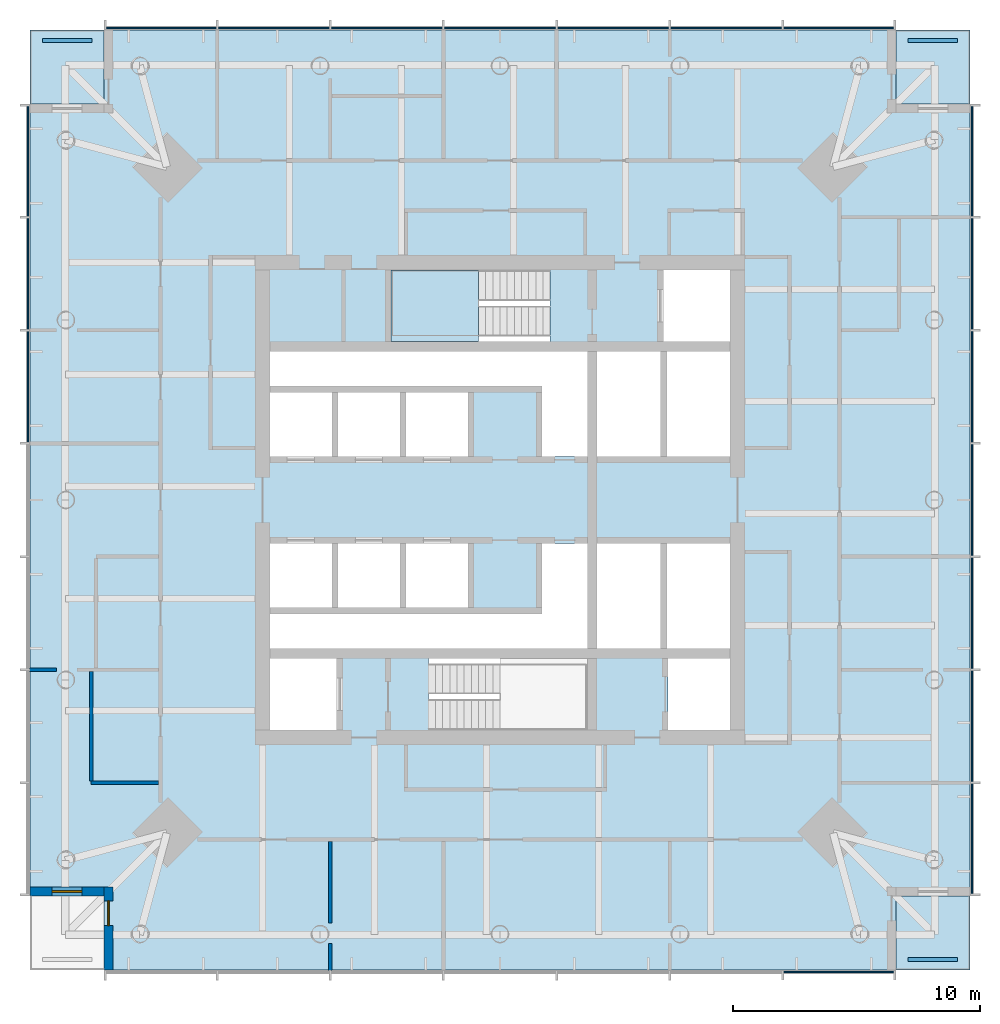
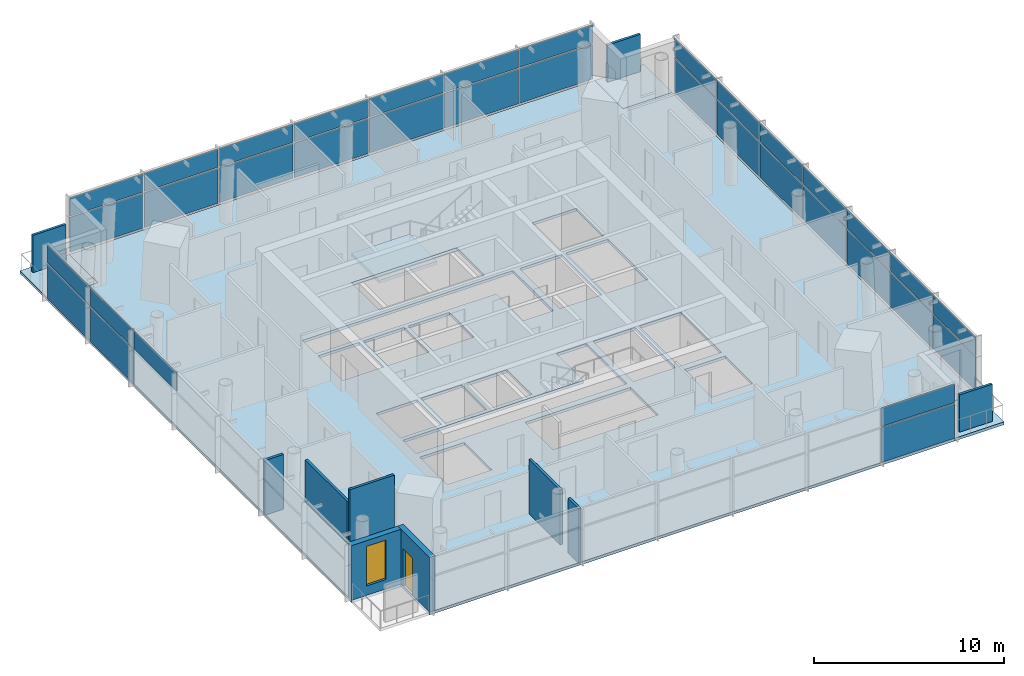
# One storey, part 5 of 10: 38 plates, 7 walls, 5 slabs, 1 door, 1 window, 2 openings, 9 elements without a shape of their own.
"""IFC4 building model written with IfcOpenShell, lengths in metres."""

from ifc_helpers import new_model, si_unit, direction, frame, frame_2d, origin, origin_2d, place, context, subcontext, project, spatial, polyline, rectangle, outline, extrude, material, layer, layer_set, type_object, element, fill, aggregate, save


model = new_model("IFC4")

# Units and contexts
model_context = context("Model", 3, precision=1e-05, world=origin(), true_north=direction((0.0, 1.0)))
body_context = subcontext(model_context, "Body", "Model", "MODEL_VIEW")
ifc_project = project(units=[si_unit("LENGTHUNIT", "METRE"), si_unit("AREAUNIT", "SQUARE_METRE"), si_unit("VOLUMEUNIT", "CUBIC_METRE"), si_unit("PLANEANGLEUNIT", "RADIAN"), si_unit("MASSUNIT", "GRAM", prefix="KILO")], contexts=[model_context])

# Site, building, storey
site_placement = place(None, origin())
site = spatial("IfcSite", under=ifc_project, at=site_placement, CompositionType="ELEMENT")
building_placement = place(site_placement, origin())
building = spatial("IfcBuilding", under=site, at=building_placement, Name="Ostroluk Exchange", CompositionType="ELEMENT")
storey_placement = place(building_placement, frame((0.0, 0.0, 222.39990234375)))
storey = spatial("IfcBuildingStorey", under=building, at=storey_placement, Name="L57", CompositionType="ELEMENT", Elevation=222.39990234375)

# Slabs
ifc_material_1 = material(Name="Concrete C35/45", Category="concrete")
ifc_layer_1 = layer(ifc_material_1, 0.179931640625)
ifc_layer_set_1 = layer_set([ifc_layer_1], Name="Balcony slab 180")
slab_type_1 = type_object("IfcSlabType", Name="Balcony slab 180", PredefinedType="USERDEFINED", material=ifc_layer_set_1)
slab_1_placement = place(storey_placement, frame((0.0, 0.0, -0.179931640625)))
element("IfcSlab", 1, at=slab_1_placement, inside=storey, type_object=slab_type_1, Name="Office tower SE corner balcony L57", ObjectType="BALCONY", PredefinedType="USERDEFINED", context=body_context, shape_type="SweptSolid", body=[
    extrude(outline(polyline([(61.0, 27.0), (64.0, 27.0), (64.0, 30.0), (61.0, 30.0), (61.0, 27.0)])), origin(), (0.0, 0.0, 1.0), 0.179931640625),
])
slab_2_placement = place(storey_placement, frame((0.0, 0.0, -0.179931640625)))
element("IfcSlab", 2, at=slab_2_placement, inside=storey, type_object=slab_type_1, Name="Office tower NE corner balcony L57", ObjectType="BALCONY", PredefinedType="USERDEFINED", context=body_context, shape_type="SweptSolid", body=[
    extrude(outline(polyline([(61.0, 62.0), (64.0, 62.0), (64.0, 65.0), (61.0, 65.0), (61.0, 62.0)])), origin(), (0.0, 0.0, 1.0), 0.179931640625),
])
slab_3_placement = place(storey_placement, frame((0.0, 0.0, -0.179931640625)))
element("IfcSlab", 3, at=slab_3_placement, inside=storey, type_object=slab_type_1, Name="Office tower NW corner balcony L57", ObjectType="BALCONY", PredefinedType="USERDEFINED", context=body_context, shape_type="SweptSolid", body=[
    extrude(outline(polyline([(26.0, 62.0), (29.0, 62.0), (29.0, 65.0), (26.0, 65.0), (26.0, 62.0)])), origin(), (0.0, 0.0, 1.0), 0.179931640625),
])

# Curtain wall, plate
ifc_material_2 = material(Name="Laminated clear glass", Category="glass")
curtain_wall_type = type_object("IfcCurtainWallType", Name="Office tower facade", PredefinedType="USERDEFINED", material=ifc_material_2)
curtain_wall_1_placement = place(storey_placement, origin())
curtain_wall_1 = element("IfcCurtainWall", 4, at=curtain_wall_1_placement, inside=storey, type_object=curtain_wall_type, Name="Office tower south spandrel L57", ObjectType="UNITISED CURTAIN WALL", PredefinedType="USERDEFINED")
ifc_material_3 = material(Name="Insulated aluminium spandrel", Category="aluminium")
ifc_layer_2 = layer(ifc_material_3, 0.0439453125)
ifc_layer_set_2 = layer_set([ifc_layer_2], Name="Insulated spandrel panel 44")
plate_type_1 = type_object("IfcPlateType", Name="Insulated spandrel panel 44", PredefinedType="CURTAIN_PANEL", material=ifc_layer_set_2)
plate_1_placement = place(storey_placement, frame((58.6943359375, 26.925048828125, 2.3935546875), z_axis=(0.0, 0.0, 1.0), x_axis=(1.0, 0.0, 0.0)))
plate_1 = element("IfcPlate", 5, at=plate_1_placement, type_object=plate_type_1, Name="CW-O1 panel 7.1", PredefinedType="CURTAIN_PANEL", context=body_context, shape_type="SweptSolid", body=[
    extrude(rectangle(XDim=4.451416015625, YDim=0.0439453125, at=origin_2d()), origin(), (0.0, 0.0, 1.0), 1.176513671875),
])
aggregate(curtain_wall_1, [plate_1])

# Curtain wall, plates
curtain_wall_2_placement = place(storey_placement, origin())
curtain_wall_2 = element("IfcCurtainWall", 6, at=curtain_wall_2_placement, inside=storey, type_object=curtain_wall_type, Name="Office tower east spandrel L57", ObjectType="UNITISED CURTAIN WALL", PredefinedType="USERDEFINED")
plate_2_placement = place(storey_placement, frame((64.074951171875, 32.3056640625, 2.3935546875), z_axis=(0.0, 0.0, 1.0), x_axis=(0.0, 1.0, 0.0)))
plate_2 = element("IfcPlate", 7, at=plate_2_placement, type_object=plate_type_1, Name="CW-O1 panel 1.1", PredefinedType="CURTAIN_PANEL", context=body_context, shape_type="SweptSolid", body=[
    extrude(rectangle(XDim=4.451416015625, YDim=0.0439453125, at=origin_2d()), origin(), (0.0, 0.0, 1.0), 1.176513671875),
])
plate_3_placement = place(storey_placement, frame((64.074951171875, 36.857177734375, 2.3935546875), z_axis=(0.0, 0.0, 1.0), x_axis=(0.0, 1.0, 0.0)))
plate_3 = element("IfcPlate", 8, at=plate_3_placement, type_object=plate_type_1, Name="CW-O1 panel 2.1", PredefinedType="CURTAIN_PANEL", context=body_context, shape_type="SweptSolid", body=[
    extrude(rectangle(XDim=4.491455078125, YDim=0.0439453125, at=origin_2d()), origin(), (0.0, 0.0, 1.0), 1.176513671875),
])
plate_4_placement = place(storey_placement, frame((64.074951171875, 41.428466796875, 2.3935546875), z_axis=(0.0, 0.0, 1.0), x_axis=(0.0, 1.0, 0.0)))
plate_4 = element("IfcPlate", 9, at=plate_4_placement, type_object=plate_type_1, Name="CW-O1 panel 3.1", PredefinedType="CURTAIN_PANEL", context=body_context, shape_type="SweptSolid", body=[
    extrude(rectangle(XDim=4.491455078125, YDim=0.0439453125, at=origin_2d()), origin(), (0.0, 0.0, 1.0), 1.176513671875),
])
plate_5_placement = place(storey_placement, frame((64.074951171875, 46.0, 2.3935546875), z_axis=(0.0, 0.0, 1.0), x_axis=(0.0, 1.0, 0.0)))
plate_5 = element("IfcPlate", 10, at=plate_5_placement, type_object=plate_type_1, Name="CW-O1 panel 4.1", PredefinedType="CURTAIN_PANEL", context=body_context, shape_type="SweptSolid", body=[
    extrude(rectangle(XDim=4.491455078125, YDim=0.0439453125, at=origin_2d()), origin(), (0.0, 0.0, 1.0), 1.176513671875),
])
plate_6_placement = place(storey_placement, frame((64.074951171875, 50.571533203125, 2.3935546875), z_axis=(0.0, 0.0, 1.0), x_axis=(0.0, 1.0, 0.0)))
plate_6 = element("IfcPlate", 11, at=plate_6_placement, type_object=plate_type_1, Name="CW-O1 panel 5.1", PredefinedType="CURTAIN_PANEL", context=body_context, shape_type="SweptSolid", body=[
    extrude(rectangle(XDim=4.491455078125, YDim=0.0439453125, at=origin_2d()), origin(), (0.0, 0.0, 1.0), 1.176513671875),
])
plate_7_placement = place(storey_placement, frame((64.074951171875, 55.142822265625, 2.3935546875), z_axis=(0.0, 0.0, 1.0), x_axis=(0.0, 1.0, 0.0)))
plate_7 = element("IfcPlate", 12, at=plate_7_placement, type_object=plate_type_1, Name="CW-O1 panel 6.1", PredefinedType="CURTAIN_PANEL", context=body_context, shape_type="SweptSolid", body=[
    extrude(rectangle(XDim=4.491455078125, YDim=0.0439453125, at=origin_2d()), origin(), (0.0, 0.0, 1.0), 1.176513671875),
])
plate_8_placement = place(storey_placement, frame((64.074951171875, 59.6943359375, 2.3935546875), z_axis=(0.0, 0.0, 1.0), x_axis=(0.0, 1.0, 0.0)))
plate_8 = element("IfcPlate", 13, at=plate_8_placement, type_object=plate_type_1, Name="CW-O1 panel 7.1", PredefinedType="CURTAIN_PANEL", context=body_context, shape_type="SweptSolid", body=[
    extrude(rectangle(XDim=4.451416015625, YDim=0.0439453125, at=origin_2d()), origin(), (0.0, 0.0, 1.0), 1.176513671875),
])
aggregate(curtain_wall_2, [plate_2, plate_3, plate_4, plate_5, plate_6, plate_7, plate_8])

curtain_wall_3_placement = place(storey_placement, origin())
curtain_wall_3 = element("IfcCurtainWall", 14, at=curtain_wall_3_placement, inside=storey, type_object=curtain_wall_type, Name="Office tower north spandrel L57", ObjectType="UNITISED CURTAIN WALL", PredefinedType="USERDEFINED")
plate_9_placement = place(storey_placement, frame((58.6943359375, 65.074951171875, 2.3935546875), z_axis=(0.0, 0.0, 1.0), x_axis=(-1.0, 0.0, 0.0)))
plate_9 = element("IfcPlate", 15, at=plate_9_placement, type_object=plate_type_1, Name="CW-O1 panel 1.1", PredefinedType="CURTAIN_PANEL", context=body_context, shape_type="SweptSolid", body=[
    extrude(rectangle(XDim=4.451416015625, YDim=0.0439453125, at=origin_2d()), origin(), (0.0, 0.0, 1.0), 1.176513671875),
])
plate_10_placement = place(storey_placement, frame((54.142822265625, 65.074951171875, 2.3935546875), z_axis=(0.0, 0.0, 1.0), x_axis=(-1.0, 0.0, 0.0)))
plate_10 = element("IfcPlate", 16, at=plate_10_placement, type_object=plate_type_1, Name="CW-O1 panel 2.1", PredefinedType="CURTAIN_PANEL", context=body_context, shape_type="SweptSolid", body=[
    extrude(rectangle(XDim=4.491455078125, YDim=0.0439453125, at=origin_2d()), origin(), (0.0, 0.0, 1.0), 1.176513671875),
])
plate_11_placement = place(storey_placement, frame((49.571533203125, 65.074951171875, 2.3935546875), z_axis=(0.0, 0.0, 1.0), x_axis=(-1.0, 0.0, 0.0)))
plate_11 = element("IfcPlate", 17, at=plate_11_placement, type_object=plate_type_1, Name="CW-O1 panel 3.1", PredefinedType="CURTAIN_PANEL", context=body_context, shape_type="SweptSolid", body=[
    extrude(rectangle(XDim=4.491455078125, YDim=0.0439453125, at=origin_2d()), origin(), (0.0, 0.0, 1.0), 1.176513671875),
])
plate_12_placement = place(storey_placement, frame((45.0, 65.074951171875, 2.3935546875), z_axis=(0.0, 0.0, 1.0), x_axis=(-1.0, 0.0, 0.0)))
plate_12 = element("IfcPlate", 18, at=plate_12_placement, type_object=plate_type_1, Name="CW-O1 panel 4.1", PredefinedType="CURTAIN_PANEL", context=body_context, shape_type="SweptSolid", body=[
    extrude(rectangle(XDim=4.491455078125, YDim=0.0439453125, at=origin_2d()), origin(), (0.0, 0.0, 1.0), 1.176513671875),
])
plate_13_placement = place(storey_placement, frame((40.428466796875, 65.074951171875, 2.3935546875), z_axis=(0.0, 0.0, 1.0), x_axis=(-1.0, 0.0, 0.0)))
plate_13 = element("IfcPlate", 19, at=plate_13_placement, type_object=plate_type_1, Name="CW-O1 panel 5.1", PredefinedType="CURTAIN_PANEL", context=body_context, shape_type="SweptSolid", body=[
    extrude(rectangle(XDim=4.491455078125, YDim=0.0439453125, at=origin_2d()), origin(), (0.0, 0.0, 1.0), 1.176513671875),
])
plate_14_placement = place(storey_placement, frame((35.857177734375, 65.074951171875, 2.3935546875), z_axis=(0.0, 0.0, 1.0), x_axis=(-1.0, 0.0, 0.0)))
plate_14 = element("IfcPlate", 20, at=plate_14_placement, type_object=plate_type_1, Name="CW-O1 panel 6.1", PredefinedType="CURTAIN_PANEL", context=body_context, shape_type="SweptSolid", body=[
    extrude(rectangle(XDim=4.491455078125, YDim=0.0439453125, at=origin_2d()), origin(), (0.0, 0.0, 1.0), 1.176513671875),
])
plate_15_placement = place(storey_placement, frame((31.3056640625, 65.074951171875, 2.3935546875), z_axis=(0.0, 0.0, 1.0), x_axis=(-1.0, 0.0, 0.0)))
plate_15 = element("IfcPlate", 21, at=plate_15_placement, type_object=plate_type_1, Name="CW-O1 panel 7.1", PredefinedType="CURTAIN_PANEL", context=body_context, shape_type="SweptSolid", body=[
    extrude(rectangle(XDim=4.451416015625, YDim=0.0439453125, at=origin_2d()), origin(), (0.0, 0.0, 1.0), 1.176513671875),
])
aggregate(curtain_wall_3, [plate_9, plate_10, plate_11, plate_12, plate_13, plate_14, plate_15])

curtain_wall_4_placement = place(storey_placement, origin())
curtain_wall_4 = element("IfcCurtainWall", 22, at=curtain_wall_4_placement, inside=storey, type_object=curtain_wall_type, Name="Office tower west spandrel L57", ObjectType="UNITISED CURTAIN WALL", PredefinedType="USERDEFINED")
plate_16_placement = place(storey_placement, frame((25.925048828125, 59.6943359375, 2.3935546875), z_axis=(0.0, 0.0, 1.0), x_axis=(0.0, -1.0, 0.0)))
plate_16 = element("IfcPlate", 23, at=plate_16_placement, type_object=plate_type_1, Name="CW-O1 panel 1.1", PredefinedType="CURTAIN_PANEL", context=body_context, shape_type="SweptSolid", body=[
    extrude(rectangle(XDim=4.451416015625, YDim=0.0439453125, at=origin_2d()), origin(), (0.0, 0.0, 1.0), 1.176513671875),
])
plate_17_placement = place(storey_placement, frame((25.925048828125, 55.142822265625, 2.3935546875), z_axis=(0.0, 0.0, 1.0), x_axis=(0.0, -1.0, 0.0)))
plate_17 = element("IfcPlate", 24, at=plate_17_placement, type_object=plate_type_1, Name="CW-O1 panel 2.1", PredefinedType="CURTAIN_PANEL", context=body_context, shape_type="SweptSolid", body=[
    extrude(rectangle(XDim=4.491455078125, YDim=0.0439453125, at=origin_2d()), origin(), (0.0, 0.0, 1.0), 1.176513671875),
])
plate_18_placement = place(storey_placement, frame((25.925048828125, 50.571533203125, 2.3935546875), z_axis=(0.0, 0.0, 1.0), x_axis=(0.0, -1.0, 0.0)))
plate_18 = element("IfcPlate", 25, at=plate_18_placement, type_object=plate_type_1, Name="CW-O1 panel 3.1", PredefinedType="CURTAIN_PANEL", context=body_context, shape_type="SweptSolid", body=[
    extrude(rectangle(XDim=4.491455078125, YDim=0.0439453125, at=origin_2d()), origin(), (0.0, 0.0, 1.0), 1.176513671875),
])
aggregate(curtain_wall_4, [plate_16, plate_17, plate_18])

# Plates
ifc_material_4 = material(Name="Steel S355 trellis with planting", Category="steel")
ifc_layer_3 = layer(ifc_material_4, 0.14990234375)
ifc_layer_set_3 = layer_set([ifc_layer_3], Name="Planted screen 150")
plate_type_2 = type_object("IfcPlateType", Name="Planted screen 150", PredefinedType="USERDEFINED", material=ifc_layer_set_3)
for number, where, z_axis, x_axis, name in (
    (26, (62.5, 27.425048828125, 0.000244140625), (0.0, 0.0, 1.0), (1.0, 0.0, 0.0), "Office tower SE planted screen L57"),
    (27, (62.5, 64.574951171875, 0.000244140625), (0.0, 0.0, 1.0), (1.0, 0.0, 0.0), "Office tower NE planted screen L57"),
    (28, (27.5, 64.574951171875, 0.000244140625), (0.0, 0.0, 1.0), (1.0, 0.0, 0.0), "Office tower NW planted screen L57"),
):
    element("IfcPlate", number, at=place(storey_placement, frame(where, z_axis=z_axis, x_axis=x_axis)), inside=storey, type_object=plate_type_2, Name=name, ObjectType="PLANTED SCREEN", PredefinedType="USERDEFINED", context=body_context, shape_type="SweptSolid", body=[
        extrude(rectangle(XDim=2.0, YDim=0.14990234375, at=origin_2d()), origin(), (0.0, 0.0, 1.0), 2.39990234375),
    ])

# Stair, slab
ifc_material_5 = material(Name="Concrete C30/37", Category="concrete")
stair_type = type_object("IfcStairType", Name="Exit stair half turn 3800", PredefinedType="HALF_TURN_STAIR", material=ifc_material_5)
stair_placement = place(storey_placement, origin())
stair = element("IfcStair", 29, at=stair_placement, inside=storey, type_object=stair_type, Name="Stair T1-S2 L57", PredefinedType="HALF_TURN_STAIR")
ifc_material_6 = material(Name="Concrete C30/37", Category="concrete")
ifc_layer_4 = layer(ifc_material_6, 0.199951171875)
ifc_layer_set_4 = layer_set([ifc_layer_4], Name="Stair landing 200")
slab_type_2 = type_object("IfcSlabType", Name="Stair landing 200", PredefinedType="LANDING", material=ifc_layer_set_4)
slab_4_placement = place(storey_placement, frame((0.0, 0.0, 1.7001953125)))
slab_4 = element("IfcSlab", 30, at=slab_4_placement, type_object=slab_type_2, Name="T1-S2 landing 1", PredefinedType="LANDING", context=body_context, shape_type="SweptSolid", body=[
    extrude(outline(polyline([(44.1298828125, 52.39990234375), (44.1298828125, 55.300048828125), (40.60009765625, 55.300048828125), (40.60009765625, 52.39990234375), (44.1298828125, 52.39990234375)])), origin(), (0.0, 0.0, 1.0), 0.199951171875),
])
aggregate(stair, [slab_4])

# Slab
ifc_material_7 = material(Name="Concrete C35/45", Category="concrete")
ifc_layer_5 = layer(ifc_material_7, 0.179931640625)
ifc_layer_set_5 = layer_set([ifc_layer_5], Name="Tower floor slab 180 composite")
slab_type_3 = type_object("IfcSlabType", Name="Tower floor slab 180 composite", PredefinedType="FLOOR", material=ifc_layer_set_5)
slab_5_placement = place(storey_placement, frame((0.0, 0.0, -0.179931640625)))
element("IfcSlab", 31, at=slab_5_placement, inside=storey, type_object=slab_type_3, Name="Office tower floor slab L57", PredefinedType="FLOOR", context=body_context, shape_type="SweptSolid", body=[
    extrude(outline(polyline([(29.0, 27.0), (61.0, 27.0), (61.0, 30.0), (64.0, 30.0), (64.0, 62.0), (61.0, 62.0), (61.0, 65.0), (29.0, 65.0), (29.0, 62.0), (26.0, 62.0), (26.0, 30.0), (29.0, 30.0), (29.0, 27.0)]), holes=[polyline([(35.699951171875, 36.699951171875), (38.39990234375, 36.699951171875), (38.39990234375, 39.60009765625), (35.699951171875, 39.60009765625), (35.699951171875, 36.699951171875)]), polyline([(42.110107421875, 36.699951171875), (48.530029296875, 36.699951171875), (48.530029296875, 39.60009765625), (42.110107421875, 39.60009765625), (42.110107421875, 36.699951171875)]), polyline([(51.800048828125, 36.699951171875), (54.300048828125, 36.699951171875), (54.300048828125, 39.60009765625), (51.800048828125, 39.60009765625), (51.800048828125, 36.699951171875)]), polyline([(40.60009765625, 52.39990234375), (47.02001953125, 52.39990234375), (47.02001953125, 55.300048828125), (40.60009765625, 55.300048828125), (40.60009765625, 52.39990234375)]), polyline([(51.60009765625, 52.39990234375), (54.300048828125, 52.39990234375), (54.300048828125, 55.300048828125), (51.60009765625, 55.300048828125), (51.60009765625, 52.39990234375)]), polyline([(35.699951171875, 47.75), (38.199951171875, 47.75), (38.199951171875, 50.35009765625), (35.699951171875, 50.35009765625), (35.699951171875, 47.75)]), polyline([(38.449951171875, 47.75), (40.949951171875, 47.75), (40.949951171875, 50.35009765625), (38.449951171875, 50.35009765625), (38.449951171875, 47.75)]), polyline([(41.199951171875, 47.75), (43.699951171875, 47.75), (43.699951171875, 50.35009765625), (41.199951171875, 50.35009765625), (41.199951171875, 47.75)]), polyline([(35.699951171875, 41.64990234375), (38.199951171875, 41.64990234375), (38.199951171875, 44.25), (35.699951171875, 44.25), (35.699951171875, 41.64990234375)]), polyline([(38.449951171875, 41.64990234375), (40.949951171875, 41.64990234375), (40.949951171875, 44.25), (38.449951171875, 44.25), (38.449951171875, 41.64990234375)]), polyline([(41.199951171875, 41.64990234375), (43.699951171875, 41.64990234375), (43.699951171875, 44.25), (41.199951171875, 44.25), (41.199951171875, 41.64990234375)]), polyline([(48.929931640625, 47.75), (51.489990234375, 47.75), (51.489990234375, 52.0), (48.929931640625, 52.0), (48.929931640625, 47.75)]), polyline([(51.739990234375, 47.75), (54.300048828125, 47.75), (54.300048828125, 52.0), (51.739990234375, 52.0), (51.739990234375, 47.75)]), polyline([(48.929931640625, 40.0), (51.489990234375, 40.0), (51.489990234375, 44.25), (48.929931640625, 44.25), (48.929931640625, 40.0)]), polyline([(51.739990234375, 40.0), (54.300048828125, 40.0), (54.300048828125, 44.25), (51.739990234375, 44.25), (51.739990234375, 40.0)]), polyline([(48.530029296875, 52.0), (48.530029296875, 47.75), (46.699951171875, 47.75), (46.699951171875, 50.60009765625), (35.699951171875, 50.60009765625), (35.699951171875, 52.0), (48.530029296875, 52.0)]), polyline([(35.699951171875, 40.0), (35.699951171875, 41.39990234375), (46.699951171875, 41.39990234375), (46.699951171875, 44.25), (48.530029296875, 44.25), (48.530029296875, 40.0), (35.699951171875, 40.0)])]), origin(), (0.0, 0.0, 1.0), 0.179931640625),
])

# Curtain wall, plate
curtain_wall_5_placement = place(storey_placement, origin())
curtain_wall_5 = element("IfcCurtainWall", 32, at=curtain_wall_5_placement, inside=storey, type_object=curtain_wall_type, Name="Office tower south facade L57", ObjectType="UNITISED CURTAIN WALL", PredefinedType="USERDEFINED")
ifc_material_8 = material(Name="Laminated clear glass", Category="glass")
ifc_layer_6 = layer(ifc_material_8, 0.0439453125)
ifc_layer_set_6 = layer_set([ifc_layer_6], Name="Triple laminated clear glazing 44")
plate_type_3 = type_object("IfcPlateType", Name="Triple laminated clear glazing 44", PredefinedType="CURTAIN_PANEL", material=ifc_layer_set_6)
plate_19_placement = place(storey_placement, frame((58.6943359375, 26.925048828125, 0.080078125), z_axis=(0.0, 0.0, 1.0), x_axis=(1.0, 0.0, 0.0)))
plate_19 = element("IfcPlate", 33, at=plate_19_placement, type_object=plate_type_3, Name="CW-O1 panel 7.1", PredefinedType="CURTAIN_PANEL", context=body_context, shape_type="SweptSolid", body=[
    extrude(rectangle(XDim=4.451416015625, YDim=0.0439453125, at=origin_2d()), origin(), (0.0, 0.0, 1.0), 2.2333984375),
])
aggregate(curtain_wall_5, [plate_19])

# Curtain wall, plates
curtain_wall_6_placement = place(storey_placement, origin())
curtain_wall_6 = element("IfcCurtainWall", 34, at=curtain_wall_6_placement, inside=storey, type_object=curtain_wall_type, Name="Office tower east facade L57", ObjectType="UNITISED CURTAIN WALL", PredefinedType="USERDEFINED")
plate_20_placement = place(storey_placement, frame((64.074951171875, 32.3056640625, 0.080078125), z_axis=(0.0, 0.0, 1.0), x_axis=(0.0, 1.0, 0.0)))
plate_20 = element("IfcPlate", 35, at=plate_20_placement, type_object=plate_type_3, Name="CW-O1 panel 1.1", PredefinedType="CURTAIN_PANEL", context=body_context, shape_type="SweptSolid", body=[
    extrude(rectangle(XDim=4.451416015625, YDim=0.0439453125, at=origin_2d()), origin(), (0.0, 0.0, 1.0), 2.2333984375),
])
plate_21_placement = place(storey_placement, frame((64.074951171875, 36.857177734375, 0.080078125), z_axis=(0.0, 0.0, 1.0), x_axis=(0.0, 1.0, 0.0)))
plate_21 = element("IfcPlate", 36, at=plate_21_placement, type_object=plate_type_3, Name="CW-O1 panel 2.1", PredefinedType="CURTAIN_PANEL", context=body_context, shape_type="SweptSolid", body=[
    extrude(rectangle(XDim=4.491455078125, YDim=0.0439453125, at=origin_2d()), origin(), (0.0, 0.0, 1.0), 2.2333984375),
])
plate_22_placement = place(storey_placement, frame((64.074951171875, 41.428466796875, 0.080078125), z_axis=(0.0, 0.0, 1.0), x_axis=(0.0, 1.0, 0.0)))
plate_22 = element("IfcPlate", 37, at=plate_22_placement, type_object=plate_type_3, Name="CW-O1 panel 3.1", PredefinedType="CURTAIN_PANEL", context=body_context, shape_type="SweptSolid", body=[
    extrude(rectangle(XDim=4.491455078125, YDim=0.0439453125, at=origin_2d()), origin(), (0.0, 0.0, 1.0), 2.2333984375),
])
plate_23_placement = place(storey_placement, frame((64.074951171875, 46.0, 0.080078125), z_axis=(0.0, 0.0, 1.0), x_axis=(0.0, 1.0, 0.0)))
plate_23 = element("IfcPlate", 38, at=plate_23_placement, type_object=plate_type_3, Name="CW-O1 panel 4.1", PredefinedType="CURTAIN_PANEL", context=body_context, shape_type="SweptSolid", body=[
    extrude(rectangle(XDim=4.491455078125, YDim=0.0439453125, at=origin_2d()), origin(), (0.0, 0.0, 1.0), 2.2333984375),
])
plate_24_placement = place(storey_placement, frame((64.074951171875, 50.571533203125, 0.080078125), z_axis=(0.0, 0.0, 1.0), x_axis=(0.0, 1.0, 0.0)))
plate_24 = element("IfcPlate", 39, at=plate_24_placement, type_object=plate_type_3, Name="CW-O1 panel 5.1", PredefinedType="CURTAIN_PANEL", context=body_context, shape_type="SweptSolid", body=[
    extrude(rectangle(XDim=4.491455078125, YDim=0.0439453125, at=origin_2d()), origin(), (0.0, 0.0, 1.0), 2.2333984375),
])
plate_25_placement = place(storey_placement, frame((64.074951171875, 55.142822265625, 0.080078125), z_axis=(0.0, 0.0, 1.0), x_axis=(0.0, 1.0, 0.0)))
plate_25 = element("IfcPlate", 40, at=plate_25_placement, type_object=plate_type_3, Name="CW-O1 panel 6.1", PredefinedType="CURTAIN_PANEL", context=body_context, shape_type="SweptSolid", body=[
    extrude(rectangle(XDim=4.491455078125, YDim=0.0439453125, at=origin_2d()), origin(), (0.0, 0.0, 1.0), 2.2333984375),
])
plate_26_placement = place(storey_placement, frame((64.074951171875, 59.6943359375, 0.080078125), z_axis=(0.0, 0.0, 1.0), x_axis=(0.0, 1.0, 0.0)))
plate_26 = element("IfcPlate", 41, at=plate_26_placement, type_object=plate_type_3, Name="CW-O1 panel 7.1", PredefinedType="CURTAIN_PANEL", context=body_context, shape_type="SweptSolid", body=[
    extrude(rectangle(XDim=4.451416015625, YDim=0.0439453125, at=origin_2d()), origin(), (0.0, 0.0, 1.0), 2.2333984375),
])
aggregate(curtain_wall_6, [plate_20, plate_21, plate_22, plate_23, plate_24, plate_25, plate_26])

curtain_wall_7_placement = place(storey_placement, origin())
curtain_wall_7 = element("IfcCurtainWall", 42, at=curtain_wall_7_placement, inside=storey, type_object=curtain_wall_type, Name="Office tower north facade L57", ObjectType="UNITISED CURTAIN WALL", PredefinedType="USERDEFINED")
plate_27_placement = place(storey_placement, frame((58.6943359375, 65.074951171875, 0.080078125), z_axis=(0.0, 0.0, 1.0), x_axis=(-1.0, 0.0, 0.0)))
plate_27 = element("IfcPlate", 43, at=plate_27_placement, type_object=plate_type_3, Name="CW-O1 panel 1.1", PredefinedType="CURTAIN_PANEL", context=body_context, shape_type="SweptSolid", body=[
    extrude(rectangle(XDim=4.451416015625, YDim=0.0439453125, at=origin_2d()), origin(), (0.0, 0.0, 1.0), 2.2333984375),
])
plate_28_placement = place(storey_placement, frame((54.142822265625, 65.074951171875, 0.080078125), z_axis=(0.0, 0.0, 1.0), x_axis=(-1.0, 0.0, 0.0)))
plate_28 = element("IfcPlate", 44, at=plate_28_placement, type_object=plate_type_3, Name="CW-O1 panel 2.1", PredefinedType="CURTAIN_PANEL", context=body_context, shape_type="SweptSolid", body=[
    extrude(rectangle(XDim=4.491455078125, YDim=0.0439453125, at=origin_2d()), origin(), (0.0, 0.0, 1.0), 2.2333984375),
])
plate_29_placement = place(storey_placement, frame((49.571533203125, 65.074951171875, 0.080078125), z_axis=(0.0, 0.0, 1.0), x_axis=(-1.0, 0.0, 0.0)))
plate_29 = element("IfcPlate", 45, at=plate_29_placement, type_object=plate_type_3, Name="CW-O1 panel 3.1", PredefinedType="CURTAIN_PANEL", context=body_context, shape_type="SweptSolid", body=[
    extrude(rectangle(XDim=4.491455078125, YDim=0.0439453125, at=origin_2d()), origin(), (0.0, 0.0, 1.0), 2.2333984375),
])
plate_30_placement = place(storey_placement, frame((45.0, 65.074951171875, 0.080078125), z_axis=(0.0, 0.0, 1.0), x_axis=(-1.0, 0.0, 0.0)))
plate_30 = element("IfcPlate", 46, at=plate_30_placement, type_object=plate_type_3, Name="CW-O1 panel 4.1", PredefinedType="CURTAIN_PANEL", context=body_context, shape_type="SweptSolid", body=[
    extrude(rectangle(XDim=4.491455078125, YDim=0.0439453125, at=origin_2d()), origin(), (0.0, 0.0, 1.0), 2.2333984375),
])
plate_31_placement = place(storey_placement, frame((40.428466796875, 65.074951171875, 0.080078125), z_axis=(0.0, 0.0, 1.0), x_axis=(-1.0, 0.0, 0.0)))
plate_31 = element("IfcPlate", 47, at=plate_31_placement, type_object=plate_type_3, Name="CW-O1 panel 5.1", PredefinedType="CURTAIN_PANEL", context=body_context, shape_type="SweptSolid", body=[
    extrude(rectangle(XDim=4.491455078125, YDim=0.0439453125, at=origin_2d()), origin(), (0.0, 0.0, 1.0), 2.2333984375),
])
plate_32_placement = place(storey_placement, frame((35.857177734375, 65.074951171875, 0.080078125), z_axis=(0.0, 0.0, 1.0), x_axis=(-1.0, 0.0, 0.0)))
plate_32 = element("IfcPlate", 48, at=plate_32_placement, type_object=plate_type_3, Name="CW-O1 panel 6.1", PredefinedType="CURTAIN_PANEL", context=body_context, shape_type="SweptSolid", body=[
    extrude(rectangle(XDim=4.491455078125, YDim=0.0439453125, at=origin_2d()), origin(), (0.0, 0.0, 1.0), 2.2333984375),
])
plate_33_placement = place(storey_placement, frame((31.3056640625, 65.074951171875, 0.080078125), z_axis=(0.0, 0.0, 1.0), x_axis=(-1.0, 0.0, 0.0)))
plate_33 = element("IfcPlate", 49, at=plate_33_placement, type_object=plate_type_3, Name="CW-O1 panel 7.1", PredefinedType="CURTAIN_PANEL", context=body_context, shape_type="SweptSolid", body=[
    extrude(rectangle(XDim=4.451416015625, YDim=0.0439453125, at=origin_2d()), origin(), (0.0, 0.0, 1.0), 2.2333984375),
])
aggregate(curtain_wall_7, [plate_27, plate_28, plate_29, plate_30, plate_31, plate_32, plate_33])

curtain_wall_8_placement = place(storey_placement, origin())
curtain_wall_8 = element("IfcCurtainWall", 50, at=curtain_wall_8_placement, inside=storey, type_object=curtain_wall_type, Name="Office tower west facade L57", ObjectType="UNITISED CURTAIN WALL", PredefinedType="USERDEFINED")
plate_34_placement = place(storey_placement, frame((25.925048828125, 59.6943359375, 0.080078125), z_axis=(0.0, 0.0, 1.0), x_axis=(0.0, -1.0, 0.0)))
plate_34 = element("IfcPlate", 51, at=plate_34_placement, type_object=plate_type_3, Name="CW-O1 panel 1.1", PredefinedType="CURTAIN_PANEL", context=body_context, shape_type="SweptSolid", body=[
    extrude(rectangle(XDim=4.451416015625, YDim=0.0439453125, at=origin_2d()), origin(), (0.0, 0.0, 1.0), 2.2333984375),
])
plate_35_placement = place(storey_placement, frame((25.925048828125, 55.142822265625, 0.080078125), z_axis=(0.0, 0.0, 1.0), x_axis=(0.0, -1.0, 0.0)))
plate_35 = element("IfcPlate", 52, at=plate_35_placement, type_object=plate_type_3, Name="CW-O1 panel 2.1", PredefinedType="CURTAIN_PANEL", context=body_context, shape_type="SweptSolid", body=[
    extrude(rectangle(XDim=4.491455078125, YDim=0.0439453125, at=origin_2d()), origin(), (0.0, 0.0, 1.0), 2.2333984375),
])
aggregate(curtain_wall_8, [plate_34, plate_35])

# Wall, opening, door
ifc_material_9 = material(Name="Limestone", Category="masonry")
ifc_layer_7 = layer(ifc_material_9, 0.35009765625)
ifc_layer_set_7 = layer_set([ifc_layer_7], Name="Limestone facade wall 350")
wall_type_1 = type_object("IfcWallType", Name="Limestone facade wall 350", PredefinedType="SOLIDWALL", material=ifc_layer_set_7)
wall_1_placement = place(storey_placement, frame((29.175048828125, 27.0, 0.0), z_axis=(0.0, 0.0, 1.0), x_axis=(0.0, 1.0, 0.0)))
wall_1 = element("IfcWall", 53, at=wall_1_placement, inside=storey, type_object=wall_type_1, Name="Office tower SW corner wall L57 a", PredefinedType="SOLIDWALL", context=body_context, shape_type="SweptSolid", body=[
    extrude(rectangle(XDim=3.35009765625, YDim=0.35009765625, at=frame_2d((1.675048828125, 0.0))), origin(), (0.0, 0.0, 1.0), 3.52001953125),
])
opening_1_placement = place(wall_1_placement, frame((1.800048828125, 0.0, 0.0)))
opening_1 = element("IfcOpeningElement", 54, at=opening_1_placement, cuts=wall_1, Name="Opening D-B1", PredefinedType="OPENING", context=body_context, shape_type="SweptSolid", body=[
    extrude(rectangle(XDim=1.0, YDim=2.39990234375, at=frame_2d((0.5, 1.199951171875))), frame((0.0, 0.18505859375, 0.0), z_axis=(0.0, -1.0, 0.0), x_axis=(1.0, 0.0, 0.0)), (0.0, 0.0, 1.0), 0.3701171875),
])
ifc_material_10 = material(Name="Bronze framed glazed door", Category="aluminium")
door_type = type_object("IfcDoorType", Name="Balcony door 1000 x 2400", OperationType="SINGLE_SWING_LEFT", PredefinedType="DOOR", material=ifc_material_10)
door_placement = place(opening_1_placement, origin())
door = element("IfcDoor", 55, at=door_placement, inside=storey, type_object=door_type, Name="Office tower SW balcony door L57", OperationType="SINGLE_SWING_RIGHT", OverallHeight=2.39990234375, OverallWidth=1.0, PredefinedType="DOOR", context=body_context, shape_type="SweptSolid", body=[
    extrude(rectangle(XDim=1.0, YDim=2.39990234375, at=frame_2d((0.5, 1.199951171875))), frame((0.0, 0.02490234375, 0.0), z_axis=(0.0, -1.0, 0.0), x_axis=(1.0, 0.0, 0.0)), (0.0, 0.0, 1.0), 0.050048828125),
])
fill(opening_1, door)

# Wall, opening, window
wall_2_placement = place(storey_placement, frame((29.0, 30.175048828125, 0.0), z_axis=(0.0, 0.0, 1.0), x_axis=(-1.0, 0.0, 0.0)))
wall_2 = element("IfcWall", 56, at=wall_2_placement, inside=storey, type_object=wall_type_1, Name="Office tower SW corner wall L57 b", PredefinedType="SOLIDWALL", context=body_context, shape_type="SweptSolid", body=[
    extrude(rectangle(XDim=3.0, YDim=0.35009765625, at=frame_2d((1.5, 0.0))), origin(), (0.0, 0.0, 1.0), 3.52001953125),
])
opening_2_placement = place(wall_2_placement, frame((0.89990234375, 0.0, 0.60009765625)))
opening_2 = element("IfcOpeningElement", 57, at=opening_2_placement, cuts=wall_2, Name="Opening WN-L1", PredefinedType="OPENING", context=body_context, shape_type="SweptSolid", body=[
    extrude(rectangle(XDim=1.199951171875, YDim=2.550048828125, at=frame_2d((0.60009765625, 1.27490234375))), frame((0.0, 0.18505859375, 0.0), z_axis=(0.0, -1.0, 0.0), x_axis=(1.0, 0.0, 0.0)), (0.0, 0.0, 1.0), 0.3701171875),
])
ifc_material_11 = material(Name="Laminated clear glass", Category="glass")
window_type = type_object("IfcWindowType", Name="Lancet window 1200 x 2550", PartitioningType="SINGLE_PANEL", PredefinedType="WINDOW", material=ifc_material_11)
window_placement = place(opening_2_placement, origin())
window = element("IfcWindow", 58, at=window_placement, inside=storey, type_object=window_type, Name="Office tower SW lancet window L57", OverallHeight=2.550048828125, OverallWidth=1.199951171875, PartitioningType="SINGLE_PANEL", PredefinedType="WINDOW", context=body_context, shape_type="SweptSolid", body=[
    extrude(rectangle(XDim=1.199951171875, YDim=2.550048828125, at=frame_2d((0.60009765625, 1.27490234375))), frame((0.0, 0.030029296875, 0.0), z_axis=(0.0, -1.0, 0.0), x_axis=(1.0, 0.0, 0.0)), (0.0, 0.0, 1.0), 0.06005859375),
])
fill(opening_2, window)

# Walls
ifc_material_12 = material(Name="Gypsum plasterboard partition", Category="gypsum")
ifc_layer_8 = layer(ifc_material_12, 0.14990234375)
ifc_layer_set_8 = layer_set([ifc_layer_8], Name="Plasterboard partition 150")
wall_type_2 = type_object("IfcWallType", Name="Plasterboard partition 150", PredefinedType="PARTITIONING", material=ifc_layer_set_8)
wall_3_placement = place(storey_placement, frame((27.080322265625, 39.142822265625, 0.0), z_axis=(0.0, 0.0, 1.0), x_axis=(-1.0, 0.0, 0.0)))
element("IfcWall", 59, at=wall_3_placement, inside=storey, type_object=wall_type_2, Name="Partition", PredefinedType="PARTITIONING", context=body_context, shape_type="SweptSolid", body=[
    extrude(rectangle(XDim=1.120361328125, YDim=0.14990234375, at=frame_2d((0.56005859375, 0.0))), origin(), (0.0, 0.0, 1.0), 3.52001953125),
])
wall_4_placement = place(storey_placement, frame((31.199951171875, 34.571533203125, 0.0), z_axis=(0.0, 0.0, 1.0), x_axis=(-1.0, 0.0, 0.0)))
element("IfcWall", 60, at=wall_4_placement, inside=storey, type_object=wall_type_2, Name="Partition", PredefinedType="PARTITIONING", context=body_context, shape_type="SweptSolid", body=[
    extrude(rectangle(XDim=2.724853515625, YDim=0.14990234375, at=frame_2d((1.3623046875, 0.0))), origin(), (0.0, 0.0, 1.0), 3.52001953125),
])
wall_5_placement = place(storey_placement, frame((38.142822265625, 32.199951171875, 0.0), z_axis=(0.0, 0.0, 1.0), x_axis=(0.0, -1.0, 0.0)))
element("IfcWall", 61, at=wall_5_placement, inside=storey, type_object=wall_type_2, Name="Partition", PredefinedType="PARTITIONING", context=body_context, shape_type="SweptSolid", body=[
    extrude(rectangle(XDim=3.287353515625, YDim=0.14990234375, at=frame_2d((1.6435546875, 0.0))), origin(), (0.0, 0.0, 1.0), 3.52001953125),
])
wall_6_placement = place(storey_placement, frame((38.142822265625, 28.080322265625, 0.0), z_axis=(0.0, 0.0, 1.0), x_axis=(0.0, -1.0, 0.0)))
element("IfcWall", 62, at=wall_6_placement, inside=storey, type_object=wall_type_2, Name="Partition", PredefinedType="PARTITIONING", context=body_context, shape_type="SweptSolid", body=[
    extrude(rectangle(XDim=1.120361328125, YDim=0.14990234375, at=frame_2d((0.56005859375, 0.0))), origin(), (0.0, 0.0, 1.0), 3.52001953125),
])
ifc_material_13 = material(Name="Gypsum plasterboard partition, moisture resistant", Category="gypsum")
ifc_layer_9 = layer(ifc_material_13, 0.14990234375)
ifc_layer_set_9 = layer_set([ifc_layer_9], Name="Plasterboard toilet partition 150")
wall_type_3 = type_object("IfcWallType", Name="Plasterboard toilet partition 150", PredefinedType="PARTITIONING", material=ifc_layer_set_9)
wall_7_placement = place(storey_placement, frame((28.47509765625, 39.06787109375, 0.0), z_axis=(0.0, 0.0, 1.0), x_axis=(0.0, -1.0, 0.0)))
element("IfcWall", 63, at=wall_7_placement, inside=storey, type_object=wall_type_3, Name="Toilet partition", PredefinedType="PARTITIONING", context=body_context, shape_type="SweptSolid", body=[
    extrude(rectangle(XDim=4.42138671875, YDim=0.14990234375, at=frame_2d((2.210693359375, 0.0))), origin(), (0.0, 0.0, 1.0), 2.7060546875),
])

save(model, "model.ifc")
